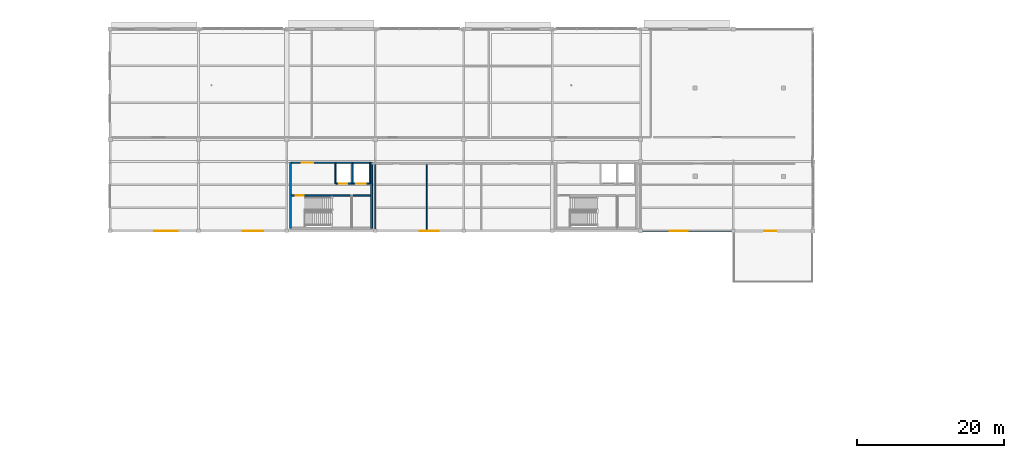
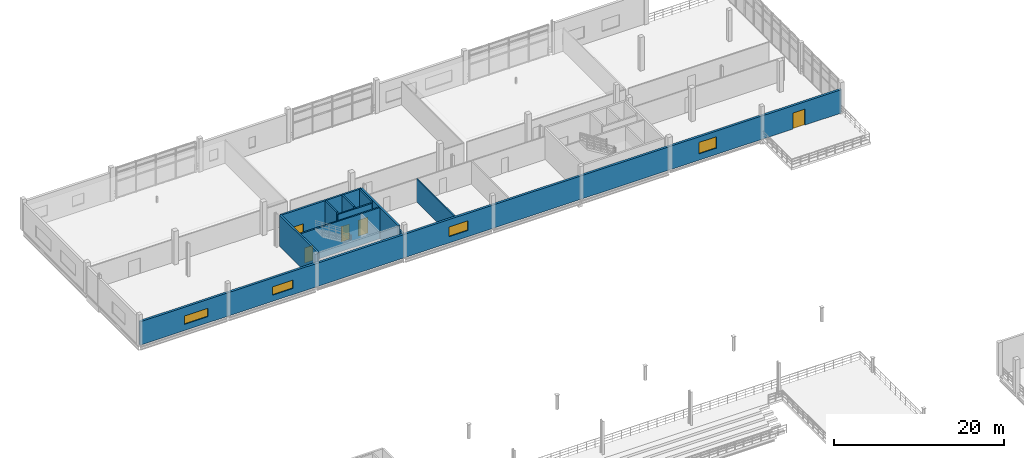
# One storey, part 38 of 52: 11 walls, 5 doors, 4 windows, 9 openings.
"""IFC4 building model written with IfcOpenShell, lengths in metres."""

import ifcopenshell
import ifcopenshell.guid

model = None  # the IFC model being written
_history = None  # IfcOwnerHistory: only IFC2X3 demands one
_inside = {}  # id of a spatial element -> (the spatial element, [elements in it])
_under = {}  # id of a project, library or spatial element -> (it, [spatial elements below it])
_declared = {}  # id of a project -> (the project, [libraries it declares])
_typed = {}  # id of a type object -> (the type object, [elements of that type])
_made_of = {}  # id of a material, layer set ... -> (it, [elements and type objects made of it])


def new_model(schema):
    """Start an empty IFC model of exactly this schema.

    Asked for "IFC4X3", IfcOpenShell would pick the latest addendum, in which some entities
    have other attributes; the version numbers below select the first issue.
    IFC2X3 requires an IfcOwnerHistory on every rooted entity: one is made here for all.
    """
    global model, _history
    if schema == "IFC4X3":
        model = ifcopenshell.file(schema_version=(4, 3, 0, 0))
    else:
        model = ifcopenshell.file(schema=schema)
    _inside.clear()
    _under.clear()
    _declared.clear()
    _typed.clear()
    _made_of.clear()
    _history = None
    if model.schema == "IFC2X3":
        org = make("IfcOrganization", Name="unknown")
        user = make(
            "IfcPersonAndOrganization",
            ThePerson=make("IfcPerson", FamilyName="unknown"),
            TheOrganization=org,
        )
        app = make(
            "IfcApplication",
            ApplicationDeveloper=org,
            Version="unknown",
            ApplicationFullName="unknown",
            ApplicationIdentifier="unknown",
        )
        _history = make(
            "IfcOwnerHistory",
            OwningUser=user,
            OwningApplication=app,
            ChangeAction="ADDED",
            CreationDate=0,
        )
    return model


def make(cls, **values):
    """One entity of the class cls with the attributes given. An attribute that is None is left unset."""
    return model.create_entity(
        cls, **{name: value for name, value in values.items() if value is not None}
    )


def rooted(cls, **values):
    """An entity with a GlobalId (a new one), such as an element, a storey or a relation."""
    return make(cls, GlobalId=ifcopenshell.guid.new(), OwnerHistory=_history, **values)


def si_unit(unit_type, name, prefix=None):
    """IfcSIUnit, for example si_unit("LENGTHUNIT", "METRE", prefix="MILLI")."""
    return make("IfcSIUnit", UnitType=unit_type, Prefix=prefix, Name=name)


def assignment(units):
    """IfcUnitAssignment: the units of a project."""
    return None if units is None else make("IfcUnitAssignment", Units=units)


def point(xyz):
    """IfcCartesianPoint."""
    return None if xyz is None else make("IfcCartesianPoint", Coordinates=xyz)


def direction(xyz):
    """IfcDirection."""
    return None if xyz is None else make("IfcDirection", DirectionRatios=xyz)


def frame(location, z_axis=None, x_axis=None):
    """IfcAxis2Placement3D, a coordinate frame: its origin and axes. An axis left out is left unset."""
    return make(
        "IfcAxis2Placement3D",
        Location=point(location),
        Axis=direction(z_axis),
        RefDirection=direction(x_axis),
    )


def frame_2d(location, x_axis=None):
    """IfcAxis2Placement2D, a coordinate frame in the plane: its origin and x axis."""
    return make(
        "IfcAxis2Placement2D", Location=point(location), RefDirection=direction(x_axis)
    )


def origin():
    """The frame at (0, 0, 0) with its axes left unset."""
    return frame((0.0, 0.0, 0.0))


def place(relative_to, where):
    """IfcLocalPlacement: puts the frame where relative to a parent placement (None: the world)."""
    return make(
        "IfcLocalPlacement", PlacementRelTo=relative_to, RelativePlacement=where
    )


def context(
    kind, dimensions, precision=None, world=None, true_north=None, identifier=None
):
    """IfcGeometricRepresentationContext, for example the 3D "Model" context."""
    return make(
        "IfcGeometricRepresentationContext",
        ContextIdentifier=identifier,
        ContextType=kind,
        CoordinateSpaceDimension=dimensions,
        Precision=precision,
        WorldCoordinateSystem=world,
        TrueNorth=true_north,
    )


def subcontext(parent, identifier, kind, view, scale=None):
    """IfcGeometricRepresentationSubContext, for example "Body" below "Model"."""
    return make(
        "IfcGeometricRepresentationSubContext",
        ContextIdentifier=identifier,
        ContextType=kind,
        ParentContext=parent,
        TargetScale=scale,
        TargetView=view,
    )


def project(units=None, contexts=None):
    """IfcProject with its units and contexts."""
    return rooted(
        "IfcProject",
        Name="project",
        RepresentationContexts=contexts,
        UnitsInContext=assignment(units),
    )


def spatial(cls, under=None, at=None, **own):
    """A site, building, storey or space (cls), placed at a placement, below another one or the project."""
    s = rooted(cls, ObjectPlacement=at, **own)
    if under is not None:
        _under.setdefault(under.id(), (under, []))[1].append(s)
    return s


def profile(cls, at=None, kind="AREA", **sizes):
    """A parametric profile (cls). Its sizes go by their IFC names, for example OverallWidth=200.0."""
    return make(cls, ProfileType=kind, Position=at, **sizes)


def rectangle(**sizes):
    """IfcRectangleProfileDef."""
    return profile("IfcRectangleProfileDef", **sizes)


def extrude(swept, where, along, depth):
    """IfcExtrudedAreaSolid: the profile swept, set in the frame where, extruded along a direction by depth."""
    return make(
        "IfcExtrudedAreaSolid",
        SweptArea=swept,
        Position=where,
        ExtrudedDirection=direction(along),
        Depth=depth,
    )


def shape(context_of_items, identifier, shape_type, items):
    """IfcShapeRepresentation: the items that make up one representation, for example the "Body"."""
    return make(
        "IfcShapeRepresentation",
        ContextOfItems=context_of_items,
        RepresentationIdentifier=identifier,
        RepresentationType=shape_type,
        Items=items,
    )


def material(Name=None, Category=None):
    """IfcMaterial."""
    return make("IfcMaterial", Name=Name, Category=Category)


def layer(
    of_material, thickness, ventilated=None, Name=None, Category=None, Priority=None
):
    """IfcMaterialLayer: one layer of a wall or slab, of a material (None: an air gap)."""
    return make(
        "IfcMaterialLayer",
        Material=of_material,
        LayerThickness=thickness,
        IsVentilated=ventilated,
        Name=Name,
        Category=Category,
        Priority=Priority,
    )


def layer_set(layers, Name=None):
    """IfcMaterialLayerSet."""
    return make("IfcMaterialLayerSet", MaterialLayers=layers, LayerSetName=Name)


def made_of(thing, what):
    """Note that an element or type object is made of a material, layer set ...; save() writes the relation."""
    if what is not None:
        _made_of.setdefault(what.id(), (what, []))[1].append(thing)
    return thing


def type_object(cls, material=None, **own):
    """A type object (cls), such as IfcWallType, which elements share."""
    return made_of(rooted(cls, **own), material)


def element(
    cls,
    number,
    at=None,
    inside=None,
    cuts=None,
    type_object=None,
    material=None,
    context=None,
    identifier="Body",
    shape_type=None,
    held_by="IfcProductDefinitionShape",
    body=None,
    shapes=None,
    **own,
):
    """One element of the class cls, such as IfcWall. Its Tag is "e" and its number.

    at: its placement. inside: the storey or other place that contains it. cuts: it is an
    opening in that element (IfcRelVoidsElement). A single representation is given by context,
    identifier, shape_type and body (its items); several are given by shapes. held_by: the class
    of the entity that holds the representations. save() writes the other relations.
    """
    e = rooted(cls, Tag="e%d" % number, ObjectPlacement=at, **own)
    if body is not None:
        shapes = [shape(context, identifier, shape_type, body)]
    if shapes is not None:
        e.Representation = make(held_by, Representations=shapes)
    if inside is not None:
        _inside.setdefault(inside.id(), (inside, []))[1].append(e)
    if cuts is not None:
        rooted(
            "IfcRelVoidsElement", RelatingBuildingElement=cuts, RelatedOpeningElement=e
        )
    if type_object is not None:
        _typed.setdefault(type_object.id(), (type_object, []))[1].append(e)
    return made_of(e, material)


def fill(opening, filler):
    """IfcRelFillsElement: the door or window that sits in an opening."""
    return rooted(
        "IfcRelFillsElement",
        RelatingOpeningElement=opening,
        RelatedBuildingElement=filler,
    )


def aggregate(whole, parts):
    """IfcRelAggregates: a whole, such as a stair, and the parts it consists of."""
    return rooted("IfcRelAggregates", RelatingObject=whole, RelatedObjects=parts)


def save(model, path):
    """Write the relations noted so far, then the file.

    IfcRelAggregates (storeys below a building ...), IfcRelContainedInSpatialStructure (elements
    in a storey), IfcRelDefinesByType, IfcRelAssociatesMaterial and IfcRelDeclares: one each for
    every whole, place, type object, material and project.
    """
    for whole, parts in _under.values():
        aggregate(whole, parts)
    for where, things in _inside.values():
        rooted(
            "IfcRelContainedInSpatialStructure",
            RelatedElements=things,
            RelatingStructure=where,
        )
    for kind, things in _typed.values():
        rooted("IfcRelDefinesByType", RelatedObjects=things, RelatingType=kind)
    for what, things in _made_of.values():
        rooted("IfcRelAssociatesMaterial", RelatedObjects=things, RelatingMaterial=what)
    for by, libraries in _declared.values():
        rooted("IfcRelDeclares", RelatingContext=by, RelatedDefinitions=libraries)
    model.write(path)


model = new_model("IFC4")

# Units and contexts
model_context = context("Model", 3, precision=1e-05, world=origin(), true_north=direction((0.0, 1.0)))
body_context = subcontext(model_context, "Body", "Model", "MODEL_VIEW")
ifc_project = project(units=[si_unit("LENGTHUNIT", "METRE"), si_unit("AREAUNIT", "SQUARE_METRE"), si_unit("VOLUMEUNIT", "CUBIC_METRE"), si_unit("PLANEANGLEUNIT", "RADIAN"), si_unit("MASSUNIT", "GRAM", prefix="KILO"), si_unit("THERMODYNAMICTEMPERATUREUNIT", "KELVIN"), si_unit("POWERUNIT", "WATT")], contexts=[model_context])

# Site, building, storey
site_placement = place(None, origin())
site = spatial("IfcSite", under=ifc_project, at=site_placement, CompositionType="ELEMENT")
building_placement = place(site_placement, origin())
building = spatial("IfcBuilding", under=site, at=building_placement, Name="Solmara Park Aquatics Centre", CompositionType="ELEMENT")
storey_placement = place(building_placement, frame((0.0, 0.0, 9.60009765625)))
storey = spatial("IfcBuildingStorey", under=building, at=storey_placement, Name="L02", CompositionType="ELEMENT", Elevation=9.60009765625)

# Wall, opening, door
ifc_material_1 = material(Name="Concrete C40/50", Category="concrete")
ifc_layer_1 = layer(ifc_material_1, 0.25, Name="Concrete C40/50")
ifc_layer_set_1 = layer_set([ifc_layer_1], Name="Concrete C40/50")
wall_type_1 = type_object("IfcWallType", Name="ARC-WL-CORE250", PredefinedType="SHEAR", material=ifc_layer_set_1)
wall_1_placement = place(storey_placement, frame((49.10009765625, 117.85009765625, 0.0), z_axis=(0.0, 0.0, 1.0), x_axis=(1.0, 0.0, 0.0)))
wall_1 = element("IfcWall", 1, at=wall_1_placement, inside=storey, type_object=wall_type_1, Name="CORE-1 Core Wall N L02", PredefinedType="SHEAR", context=body_context, shape_type="SweptSolid", body=[
    extrude(rectangle(XDim=11.0, YDim=0.25, at=frame_2d((5.5, 0.0))), origin(), (0.0, 0.0, 1.0), 4.47998046875),
])
opening_1_placement = place(wall_1_placement, frame((1.550048828125, 0.0, 0.0)))
opening_1 = element("IfcOpeningElement", 2, at=opening_1_placement, cuts=wall_1, Name="Opening D-12", PredefinedType="OPENING", context=body_context, shape_type="SweptSolid", body=[
    extrude(rectangle(XDim=1.5, YDim=2.199951171875, at=frame_2d((0.75, 1.10009765625))), frame((0.0, 0.135009765625, 0.0), z_axis=(0.0, -1.0, 0.0), x_axis=(1.0, 0.0, 0.0)), (0.0, 0.0, 1.0), 0.27001953125),
])
ifc_material_2 = material(Name="Moisture-Resistant HPL & Hardwood", Category="wood")
door_type_1 = type_object("IfcDoorType", Name="ARC-DR-FD150x220", OperationType="DOUBLE_DOOR_SINGLE_SWING", PredefinedType="DOOR", material=ifc_material_2)
door_1_placement = place(opening_1_placement, origin())
door_1 = element("IfcDoor", 3, at=door_1_placement, inside=storey, type_object=door_type_1, Name="CORE-1 Lobby Entry Fire Door L02", OperationType="DOUBLE_DOOR_SINGLE_SWING", OverallHeight=2.199951171875, OverallWidth=1.5, PredefinedType="DOOR", context=body_context, shape_type="SweptSolid", body=[
    extrude(rectangle(XDim=1.5, YDim=2.199951171875, at=frame_2d((0.75, 1.10009765625))), frame((0.0, 0.02490234375, 0.0), z_axis=(0.0, -1.0, 0.0), x_axis=(1.0, 0.0, 0.0)), (0.0, 0.0, 1.0), 0.050048828125),
])
fill(opening_1, door_1)

# Walls
for number, where, z_axis, x_axis, name in (
    (4, (49.10009765625, 108.949951171875, 0.0), (0.0, 0.0, 1.0), (0.0, 1.0, 0.0), "CORE-1 Core Wall W L02"),
    (5, (60.10009765625, 108.949951171875, 0.0), (0.0, 0.0, 1.0), (0.0, 1.0, 0.0), "CORE-1 Core Wall E L02"),
):
    element("IfcWall", number, at=place(storey_placement, frame(where, z_axis=z_axis, x_axis=x_axis)), inside=storey, type_object=wall_type_1, Name=name, PredefinedType="SHEAR", context=body_context, shape_type="SweptSolid", body=[
        extrude(rectangle(XDim=8.900146484375, YDim=0.25, at=frame_2d((4.4501953125, 0.0))), origin(), (0.0, 0.0, 1.0), 4.47998046875),
    ])

# Wall, openings, door, windows
ifc_material_3 = material(Name="Insulated Limestone Render Wall", Category="masonry")
ifc_layer_2 = layer(ifc_material_3, 0.300048828125, Name="Insulated Limestone Render Wall")
ifc_layer_set_2 = layer_set([ifc_layer_2], Name="Insulated Limestone Render Wall")
wall_type_2 = type_object("IfcWallType", Name="ARC-WL-EXT300", PredefinedType="SOLIDWALL", material=ifc_layer_set_2)
wall_2_placement = place(storey_placement, frame((24.60009765625, 108.60009765625, 0.0), z_axis=(0.0, 0.0, 1.0), x_axis=(1.0, 0.0, 0.0)))
wall_2 = element("IfcWall", 6, at=wall_2_placement, inside=storey, type_object=wall_type_2, Name="Exterior Facade Wall EW-L02-033", PredefinedType="SOLIDWALL", context=body_context, shape_type="SweptSolid", body=[
    extrude(rectangle(XDim=95.39990234375, YDim=0.300048828125, at=frame_2d((47.699951171875, 0.0))), origin(), (0.0, 0.0, 1.0), 3.35986328125),
])
opening_2_placement = place(wall_2_placement, frame((88.800048828125, 0.0, 0.0)))
opening_2 = element("IfcOpeningElement", 7, at=opening_2_placement, cuts=wall_2, Name="Opening D-05", PredefinedType="OPENING", context=body_context, shape_type="SweptSolid", body=[
    extrude(rectangle(XDim=1.60009765625, YDim=2.300048828125, at=frame_2d((0.800048828125, 1.14990234375))), frame((0.0, 0.159912109375, 0.0), z_axis=(0.0, -1.0, 0.0), x_axis=(1.0, 0.0, 0.0)), (0.0, 0.0, 1.0), 0.320068359375),
])
opening_3_placement = place(wall_2_placement, frame((6.0, 0.0, 0.89990234375)))
opening_3 = element("IfcOpeningElement", 8, at=opening_3_placement, cuts=wall_2, Name="Opening W-04", PredefinedType="OPENING", context=body_context, shape_type="SweptSolid", body=[
    extrude(rectangle(XDim=3.199951171875, YDim=1.199951171875, at=frame_2d((1.60009765625, 0.60009765625))), frame((0.0, 0.159912109375, 0.0), z_axis=(0.0, -1.0, 0.0), x_axis=(1.0, 0.0, 0.0)), (0.0, 0.0, 1.0), 0.320068359375),
])
opening_4_placement = place(wall_2_placement, frame((18.0, 0.0, 0.89990234375)))
opening_4 = element("IfcOpeningElement", 9, at=opening_4_placement, cuts=wall_2, Name="Opening W-05", PredefinedType="OPENING", context=body_context, shape_type="SweptSolid", body=[
    extrude(rectangle(XDim=2.800048828125, YDim=1.199951171875, at=frame_2d((1.39990234375, 0.60009765625))), frame((0.0, 0.159912109375, 0.0), z_axis=(0.0, -1.0, 0.0), x_axis=(1.0, 0.0, 0.0)), (0.0, 0.0, 1.0), 0.320068359375),
])
opening_5_placement = place(wall_2_placement, frame((42.0, 0.0, 0.89990234375)))
opening_5 = element("IfcOpeningElement", 10, at=opening_5_placement, cuts=wall_2, Name="Opening W-29", PredefinedType="OPENING", context=body_context, shape_type="SweptSolid", body=[
    extrude(rectangle(XDim=2.60009765625, YDim=1.39990234375, at=frame_2d((1.300048828125, 0.699951171875))), frame((0.0, 0.159912109375, 0.0), z_axis=(0.0, -1.0, 0.0), x_axis=(1.0, 0.0, 0.0)), (0.0, 0.0, 1.0), 0.320068359375),
])
opening_6_placement = place(wall_2_placement, frame((76.0, 0.0, 0.89990234375)))
opening_6 = element("IfcOpeningElement", 11, at=opening_6_placement, cuts=wall_2, Name="Opening W-24", PredefinedType="OPENING", context=body_context, shape_type="SweptSolid", body=[
    extrude(rectangle(XDim=2.39990234375, YDim=1.64990234375, at=frame_2d((1.199951171875, 0.824951171875))), frame((0.0, 0.159912109375, 0.0), z_axis=(0.0, -1.0, 0.0), x_axis=(1.0, 0.0, 0.0)), (0.0, 0.0, 1.0), 0.320068359375),
])
ifc_material_4 = material(Name="Thermally Broken Powder-Coated Aluminium and Laminated Glass", Category="aluminium")
door_type_2 = type_object("IfcDoorType", Name="ARC-DR-TER160x230", OperationType="DOUBLE_DOOR_SINGLE_SWING", PredefinedType="DOOR", material=ifc_material_4)
door_2_placement = place(opening_2_placement, frame((1.60009765625, 0.0, 0.0), z_axis=(0.0, 0.0, 1.0), x_axis=(-1.0, 0.0, 0.0)))
door_2 = element("IfcDoor", 12, at=door_2_placement, inside=storey, type_object=door_type_2, Name="L02 Oasis Rehab Terrace Door (EX-18)", OperationType="DOUBLE_DOOR_SINGLE_SWING", OverallHeight=2.300048828125, OverallWidth=1.60009765625, PredefinedType="DOOR", context=body_context, shape_type="SweptSolid", body=[
    extrude(rectangle(XDim=1.60009765625, YDim=2.300048828125, at=frame_2d((0.800048828125, 1.14990234375))), frame((0.0, 0.02490234375, 0.0), z_axis=(0.0, -1.0, 0.0), x_axis=(1.0, 0.0, 0.0)), (0.0, 0.0, 1.0), 0.050048828125),
])
fill(opening_2, door_2)
ifc_material_5 = material(Name="Thermally Broken Aluminium and Low-E Double Glazing", Category="aluminium")
window_type_1 = type_object("IfcWindowType", Name="ARC-WN-240x165", PartitioningType="DOUBLE_PANEL_VERTICAL", PredefinedType="WINDOW", material=ifc_material_5)
window_1_placement = place(opening_6_placement, frame((2.39990234375, 0.0, 0.0), z_axis=(0.0, 0.0, 1.0), x_axis=(-1.0, 0.0, 0.0)))
window_1 = element("IfcWindow", 13, at=window_1_placement, inside=storey, type_object=window_type_1, Name="Ribbon Window WN-082", OverallHeight=1.64990234375, OverallWidth=2.39990234375, PartitioningType="DOUBLE_PANEL_VERTICAL", PredefinedType="WINDOW", context=body_context, shape_type="SweptSolid", body=[
    extrude(rectangle(XDim=2.39990234375, YDim=1.64990234375, at=frame_2d((1.199951171875, 0.824951171875))), frame((0.0, 0.030029296875, 0.0), z_axis=(0.0, -1.0, 0.0), x_axis=(1.0, 0.0, 0.0)), (0.0, 0.0, 1.0), 0.06005859375),
])
fill(opening_6, window_1)
window_type_2 = type_object("IfcWindowType", Name="ARC-WN-260x140", PartitioningType="DOUBLE_PANEL_VERTICAL", PredefinedType="WINDOW", material=ifc_material_5)
window_2_placement = place(opening_5_placement, frame((2.60009765625, 0.0, 0.0), z_axis=(0.0, 0.0, 1.0), x_axis=(-1.0, 0.0, 0.0)))
window_2 = element("IfcWindow", 14, at=window_2_placement, inside=storey, type_object=window_type_2, Name="Ribbon Window WN-081", OverallHeight=1.39990234375, OverallWidth=2.60009765625, PartitioningType="DOUBLE_PANEL_VERTICAL", PredefinedType="WINDOW", context=body_context, shape_type="SweptSolid", body=[
    extrude(rectangle(XDim=2.60009765625, YDim=1.39990234375, at=frame_2d((1.300048828125, 0.699951171875))), frame((0.0, 0.030029296875, 0.0), z_axis=(0.0, -1.0, 0.0), x_axis=(1.0, 0.0, 0.0)), (0.0, 0.0, 1.0), 0.06005859375),
])
fill(opening_5, window_2)
window_type_3 = type_object("IfcWindowType", Name="ARC-WN-280x120", PartitioningType="DOUBLE_PANEL_HORIZONTAL", PredefinedType="WINDOW", material=ifc_material_5)
window_3_placement = place(opening_4_placement, frame((2.800048828125, 0.0, 0.0), z_axis=(0.0, 0.0, 1.0), x_axis=(-1.0, 0.0, 0.0)))
window_3 = element("IfcWindow", 15, at=window_3_placement, inside=storey, type_object=window_type_3, Name="Ribbon Window WN-080", OverallHeight=1.199951171875, OverallWidth=2.800048828125, PartitioningType="DOUBLE_PANEL_HORIZONTAL", PredefinedType="WINDOW", context=body_context, shape_type="SweptSolid", body=[
    extrude(rectangle(XDim=2.800048828125, YDim=1.199951171875, at=frame_2d((1.39990234375, 0.60009765625))), frame((0.0, 0.030029296875, 0.0), z_axis=(0.0, -1.0, 0.0), x_axis=(1.0, 0.0, 0.0)), (0.0, 0.0, 1.0), 0.06005859375),
])
fill(opening_4, window_3)
window_type_4 = type_object("IfcWindowType", Name="ARC-WN-320x120", PartitioningType="DOUBLE_PANEL_HORIZONTAL", PredefinedType="WINDOW", material=ifc_material_5)
window_4_placement = place(opening_3_placement, frame((3.199951171875, 0.0, 0.0), z_axis=(0.0, 0.0, 1.0), x_axis=(-1.0, 0.0, 0.0)))
window_4 = element("IfcWindow", 16, at=window_4_placement, inside=storey, type_object=window_type_4, Name="Ribbon Window WN-079", OverallHeight=1.199951171875, OverallWidth=3.199951171875, PartitioningType="DOUBLE_PANEL_HORIZONTAL", PredefinedType="WINDOW", context=body_context, shape_type="SweptSolid", body=[
    extrude(rectangle(XDim=3.199951171875, YDim=1.199951171875, at=frame_2d((1.60009765625, 0.60009765625))), frame((0.0, 0.030029296875, 0.0), z_axis=(0.0, -1.0, 0.0), x_axis=(1.0, 0.0, 0.0)), (0.0, 0.0, 1.0), 0.06005859375),
])
fill(opening_3, window_4)

# Wall, openings, doors
ifc_material_6 = material(Name="Concrete C25/30 Autoclaved Aerated Fire Blockwork", Category="masonry")
ifc_layer_3 = layer(ifc_material_6, 0.199951171875, Name="Concrete C25/30 Autoclaved Aerated Fire Blockwork")
ifc_layer_set_3 = layer_set([ifc_layer_3], Name="Concrete C25/30 Autoclaved Aerated Fire Blockwork")
wall_type_3 = type_object("IfcWallType", Name="ARC-WL-FIRE200", PredefinedType="SOLIDWALL", material=ifc_layer_set_3)
wall_3_placement = place(storey_placement, frame((55.199951171875, 115.0, 0.0), z_axis=(0.0, 0.0, 1.0), x_axis=(1.0, 0.0, 0.0)))
wall_3 = element("IfcWall", 17, at=wall_3_placement, inside=storey, type_object=wall_type_3, Name="CORE-1 Lift Shaft Front Wall L02", PredefinedType="SOLIDWALL", context=body_context, shape_type="SweptSolid", body=[
    extrude(rectangle(XDim=4.650146484375, YDim=0.199951171875, at=frame_2d((2.3251953125, 0.0))), origin(), (0.0, 0.0, 1.0), 4.14990234375),
])
opening_7_placement = place(wall_3_placement, frame((2.824951171875, 0.0, 0.0)))
opening_7 = element("IfcOpeningElement", 18, at=opening_7_placement, cuts=wall_3, Name="Opening D-10", PredefinedType="OPENING", context=body_context, shape_type="SweptSolid", body=[
    extrude(rectangle(XDim=1.300048828125, YDim=2.300048828125, at=frame_2d((0.64990234375, 1.14990234375))), frame((0.0, 0.10986328125, 0.0), z_axis=(0.0, -1.0, 0.0), x_axis=(1.0, 0.0, 0.0)), (0.0, 0.0, 1.0), 0.219970703125),
])
opening_8_placement = place(wall_3_placement, frame((0.52490234375, 0.0, 0.0)))
opening_8 = element("IfcOpeningElement", 19, at=opening_8_placement, cuts=wall_3, Name="Opening D-09", PredefinedType="OPENING", context=body_context, shape_type="SweptSolid", body=[
    extrude(rectangle(XDim=1.10009765625, YDim=2.199951171875, at=frame_2d((0.550048828125, 1.10009765625))), frame((0.0, 0.10986328125, 0.0), z_axis=(0.0, -1.0, 0.0), x_axis=(1.0, 0.0, 0.0)), (0.0, 0.0, 1.0), 0.219970703125),
])
ifc_material_7 = material(Name="Stainless Steel", Category="steel")
door_type_3 = type_object("IfcDoorType", Name="ARC-DR-LD110x220", OperationType="DOUBLE_DOOR_SLIDING", PredefinedType="DOOR", material=ifc_material_7)
door_3_placement = place(opening_8_placement, frame((1.10009765625, 0.0, 0.0), z_axis=(0.0, 0.0, 1.0), x_axis=(-1.0, 0.0, 0.0)))
door_3 = element("IfcDoor", 20, at=door_3_placement, inside=storey, type_object=door_type_3, Name="LF-02 Lift Landing Door L02", OperationType="DOUBLE_DOOR_SLIDING", OverallHeight=2.199951171875, OverallWidth=1.10009765625, PredefinedType="DOOR", context=body_context, shape_type="SweptSolid", body=[
    extrude(rectangle(XDim=1.10009765625, YDim=2.199951171875, at=frame_2d((0.550048828125, 1.10009765625))), frame((0.0, 0.02490234375, 0.0), z_axis=(0.0, -1.0, 0.0), x_axis=(1.0, 0.0, 0.0)), (0.0, 0.0, 1.0), 0.050048828125),
])
fill(opening_8, door_3)
door_type_4 = type_object("IfcDoorType", Name="ARC-DR-LD130x230", OperationType="DOUBLE_DOOR_SLIDING", PredefinedType="DOOR", material=ifc_material_7)
door_4_placement = place(opening_7_placement, frame((1.300048828125, 0.0, 0.0), z_axis=(0.0, 0.0, 1.0), x_axis=(-1.0, 0.0, 0.0)))
door_4 = element("IfcDoor", 21, at=door_4_placement, inside=storey, type_object=door_type_4, Name="LF-01 Lift Landing Door L02", OperationType="DOUBLE_DOOR_SLIDING", OverallHeight=2.300048828125, OverallWidth=1.300048828125, PredefinedType="DOOR", context=body_context, shape_type="SweptSolid", body=[
    extrude(rectangle(XDim=1.300048828125, YDim=2.300048828125, at=frame_2d((0.64990234375, 1.14990234375))), frame((0.0, 0.02490234375, 0.0), z_axis=(0.0, -1.0, 0.0), x_axis=(1.0, 0.0, 0.0)), (0.0, 0.0, 1.0), 0.050048828125),
])
fill(opening_7, door_4)

# Walls
for number, where, z_axis, x_axis, name in (
    (22, (57.5, 115.0, 0.0), (0.0, 0.0, 1.0), (0.0, 1.0, 0.0), "LF-01 Lift Shaft W Wall L02"),
    (23, (59.85009765625, 115.0, 0.0), (0.0, 0.0, 1.0), (0.0, 1.0, 0.0), "LF-01 Lift Shaft E Wall L02"),
    (24, (55.199951171875, 115.0, 0.0), (0.0, 0.0, 1.0), (0.0, 1.0, 0.0), "LF-02 Lift Shaft W Wall L02"),
):
    element("IfcWall", number, at=place(storey_placement, frame(where, z_axis=z_axis, x_axis=x_axis)), inside=storey, type_object=wall_type_3, Name=name, PredefinedType="SOLIDWALL", context=body_context, shape_type="SweptSolid", body=[
        extrude(rectangle(XDim=2.75, YDim=0.199951171875, at=frame_2d((1.375, 0.0))), origin(), (0.0, 0.0, 1.0), 4.47998046875),
    ])
ifc_material_8 = material(Name="Waterproof Tile-Faced Wet-Area Plumbing Wall", Category="concrete")
ifc_layer_4 = layer(ifc_material_8, 0.159912109375, Name="Waterproof Tile-Faced Wet-Area Plumbing Wall")
ifc_layer_set_4 = layer_set([ifc_layer_4], Name="Waterproof Tile-Faced Wet-Area Plumbing Wall")
wall_type_4 = type_object("IfcWallType", Name="ARC-WL-WET160", PredefinedType="PLUMBINGWALL", material=ifc_layer_set_4)
for number, where, z_axis, x_axis, name in (
    (25, (60.60009765625, 108.75, 0.0), (0.0, 0.0, 1.0), (0.0, 1.0, 0.0), "Interior Partition IW-L02-0119 (L02-WCM-01)"),
    (26, (67.60009765625, 108.75, 0.0), (0.0, 0.0, 1.0), (0.0, 1.0, 0.0), "Interior Partition IW-L02-0120 (L02-WCM-01)"),
):
    element("IfcWall", number, at=place(storey_placement, frame(where, z_axis=z_axis, x_axis=x_axis)), inside=storey, type_object=wall_type_4, Name=name, PredefinedType="PLUMBINGWALL", context=body_context, shape_type="SweptSolid", body=[
        extrude(rectangle(XDim=8.949951171875, YDim=0.159912109375, at=frame_2d((4.47509765625, 0.0))), origin(), (0.0, 0.0, 1.0), 3.2998046875),
    ])

# Wall, opening, door
ifc_material_9 = material(Name="Concrete C35/45", Category="concrete")
ifc_layer_5 = layer(ifc_material_9, 0.199951171875, Name="Concrete C35/45")
ifc_layer_set_5 = layer_set([ifc_layer_5], Name="Concrete C35/45")
wall_type_5 = type_object("IfcWallType", Name="STR-WL-STAIR200", PredefinedType="SHEAR", material=ifc_layer_set_5)
wall_4_placement = place(storey_placement, frame((49.219970703125, 113.375, 0.0), z_axis=(0.0, 0.0, 1.0), x_axis=(1.0, 0.0, 0.0)))
wall_4 = element("IfcWall", 27, at=wall_4_placement, inside=storey, type_object=wall_type_5, Name="CORE-1 Stairwell Compartment Wall L02", PredefinedType="SHEAR", context=body_context, shape_type="SweptSolid", body=[
    extrude(rectangle(XDim=10.760009765625, YDim=0.199951171875, at=frame_2d((5.3798828125, 0.0))), origin(), (0.0, 0.0, 1.0), 4.47998046875),
])
opening_9_placement = place(wall_4_placement, frame((0.580078125, 0.0, 0.0)))
opening_9 = element("IfcOpeningElement", 28, at=opening_9_placement, cuts=wall_4, Name="Opening D-11", PredefinedType="OPENING", context=body_context, shape_type="SweptSolid", body=[
    extrude(rectangle(XDim=1.10009765625, YDim=2.199951171875, at=frame_2d((0.550048828125, 1.10009765625))), frame((0.0, 0.10986328125, 0.0), z_axis=(0.0, -1.0, 0.0), x_axis=(1.0, 0.0, 0.0)), (0.0, 0.0, 1.0), 0.219970703125),
])
door_type_5 = type_object("IfcDoorType", Name="ARC-DR-FD110x220", OperationType="NOTDEFINED", PredefinedType="DOOR", material=ifc_material_2)
door_5_placement = place(opening_9_placement, origin())
door_5 = element("IfcDoor", 29, at=door_5_placement, inside=storey, type_object=door_type_5, Name="ST-01 Fire Door L02", OperationType="SINGLE_SWING_RIGHT", OverallHeight=2.199951171875, OverallWidth=1.10009765625, PredefinedType="DOOR", context=body_context, shape_type="SweptSolid", body=[
    extrude(rectangle(XDim=1.10009765625, YDim=2.199951171875, at=frame_2d((0.550048828125, 1.10009765625))), frame((0.0, 0.02490234375, 0.0), z_axis=(0.0, -1.0, 0.0), x_axis=(1.0, 0.0, 0.0)), (0.0, 0.0, 1.0), 0.050048828125),
])
fill(opening_9, door_5)

save(model, "model.ifc")
